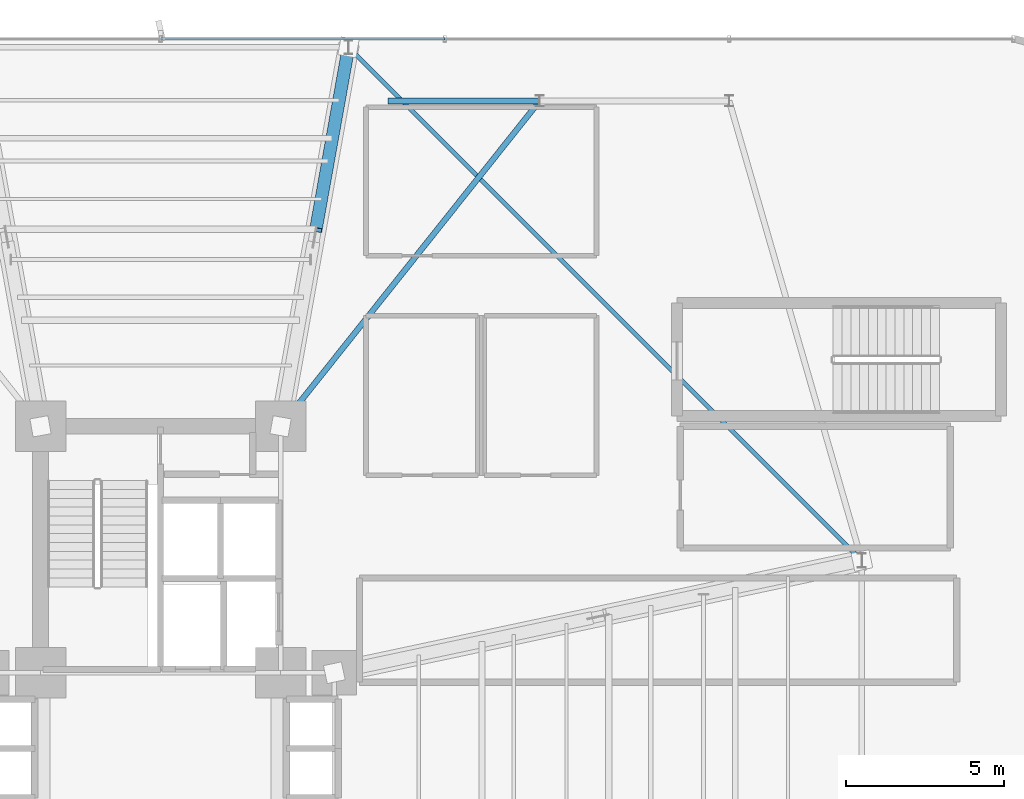
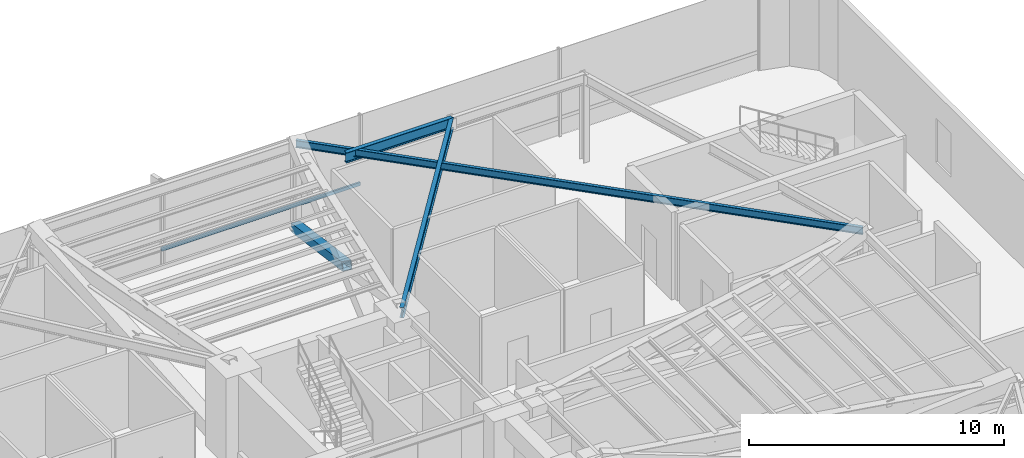
# One storey, part 15 of 32: 3 beams, 2 members, 1 element without a shape of its own.
"""IFC4 building model written with IfcOpenShell, lengths in metres."""

from ifc_helpers import new_model, si_unit, direction, frame, origin, origin_2d, place, context, subcontext, project, spatial, hollow_rectangle, i_section, extrude, source, transform, mapped, material, material_profile, profile_set, type_object, element, aggregate, save


model = new_model("IFC4")

# Units and contexts
model_context = context("Model", 3, precision=1e-05, world=origin(), true_north=direction((0.0, 1.0)))
body_context = subcontext(model_context, "Body", "Model", "MODEL_VIEW")
ifc_project = project(units=[si_unit("LENGTHUNIT", "METRE"), si_unit("AREAUNIT", "SQUARE_METRE"), si_unit("VOLUMEUNIT", "CUBIC_METRE"), si_unit("PLANEANGLEUNIT", "RADIAN"), si_unit("MASSUNIT", "GRAM", prefix="KILO")], contexts=[model_context])

# Site, building, storey
site_placement = place(None, origin())
site = spatial("IfcSite", under=ifc_project, at=site_placement, CompositionType="ELEMENT")
building_placement = place(site_placement, origin())
building = spatial("IfcBuilding", under=site, at=building_placement, Name="Sahyath Konkavel Grand Hotel", CompositionType="ELEMENT")
storey_placement = place(building_placement, frame((0.0, 0.0, 14.10009765625)))
storey = spatial("IfcBuildingStorey", under=building, at=storey_placement, Name="L03", CompositionType="ELEMENT", Elevation=14.10009765625)

# Beams
ifc_material_1 = material(Name="Steel E350", Category="steel")
ifc_material_profile_1 = material_profile(ifc_material_1, i_section(OverallWidth=0.179931640625, OverallDepth=0.5, WebThickness=0.01025390625, FlangeThickness=0.01708984375, FilletRadius=0.01708984375, at=origin_2d()), Name="ISMB 500")
ifc_profile_set_1 = profile_set([ifc_material_profile_1], Name="Steel E350")
beam_type_1 = type_object("IfcBeamType", Name="BM-ISMB500", PredefinedType="BEAM", material=ifc_profile_set_1)
shared_shape_1 = source(origin(), body_context, "Body", "SweptSolid", [
    extrude(i_section(OverallWidth=0.179931640625, OverallDepth=0.5, WebThickness=0.01025390625, FlangeThickness=0.01708984375, FilletRadius=0.01708984375, at=origin_2d()), origin(), (0.0, 0.0, 1.0), 4.800048828125),
])
beam_1_placement = place(storey_placement, frame((7.199951171875, 20.5, 3.929931640625), z_axis=(1.0, 0.0, 0.0), x_axis=(0.0, 1.0, 0.0)))
element("IfcBeam", 1, at=beam_1_placement, inside=storey, type_object=beam_type_1, Name="str:bm:L03:POD34-03", PredefinedType="BEAM", context=body_context, shape_type="MappedRepresentation", body=[
    mapped(shared_shape_1, transform((0.0, 0.0, 0.0), scale=1.0)),
])
shared_shape_2 = source(origin(), body_context, "Body", "SweptSolid", [
    extrude(i_section(OverallWidth=0.179931640625, OverallDepth=0.5, WebThickness=0.01025390625, FlangeThickness=0.01708984375, FilletRadius=0.01708984375, at=origin_2d()), origin(), (0.0, 0.0, 1.0), 13.16552734375),
])
beam_2_placement = place(storey_placement, frame((12.0, 20.5, 3.929931640625), z_axis=(-0.622836622372, -0.782351929653, 0.0), x_axis=(0.782351929653, -0.622836622372, 0.0)))
element("IfcBeam", 2, at=beam_2_placement, inside=storey, type_object=beam_type_1, Name="str:bm:L03:POD34-11", PredefinedType="BEAM", context=body_context, shape_type="MappedRepresentation", body=[
    mapped(shared_shape_2, transform((0.0, 0.0, 0.0), scale=1.0)),
])
ifc_material_profile_2 = material_profile(ifc_material_1, i_section(OverallWidth=0.139892578125, OverallDepth=0.35009765625, WebThickness=0.008056640625, FlangeThickness=0.01416015625, FilletRadius=0.013916015625, at=origin_2d()), Name="ISMB 350")
ifc_profile_set_2 = profile_set([ifc_material_profile_2], Name="Steel E350")
beam_type_2 = type_object("IfcBeamType", Name="BM-ISMB350", PredefinedType="BEAM", material=ifc_profile_set_2)
shared_shape_3 = source(origin(), body_context, "Body", "SweptSolid", [
    extrude(i_section(OverallWidth=0.139892578125, OverallDepth=0.35009765625, WebThickness=0.008056640625, FlangeThickness=0.01416015625, FilletRadius=0.013916015625, at=origin_2d()), origin(), (0.0, 0.0, 1.0), 22.98095703125),
])
beam_3_placement = place(storey_placement, frame((22.199951171875, 5.949951171875, 4.0048828125), z_axis=(-0.707106781187, 0.707106781187, 0.0), x_axis=(-0.707106781187, -0.707106781187, 0.0)))
element("IfcBeam", 3, at=beam_3_placement, inside=storey, type_object=beam_type_2, Name="L03 Re-Entrant Tie Beam NE", PredefinedType="BEAM", context=body_context, shape_type="MappedRepresentation", body=[
    mapped(shared_shape_3, transform((0.0, 0.0, 0.0), scale=1.0)),
])

# Member
ifc_material_2 = material(Name="Steel E450", Category="steel")
ifc_material_profile_3 = material_profile(ifc_material_2, hollow_rectangle(XDim=0.39990234375, YDim=0.39990234375, WallThickness=0.02001953125, at=origin_2d()), Name="SHS 400x400x20")
ifc_profile_set_3 = profile_set([ifc_material_profile_3], Name="Steel E450")
member_type_1 = type_object("IfcMemberType", Name="BR-SHS400", PredefinedType="BRACE", material=ifc_profile_set_3)
shared_shape_4 = source(origin(), body_context, "Body", "SweptSolid", [
    extrude(hollow_rectangle(XDim=0.39990234375, YDim=0.39990234375, WallThickness=0.02001953125, at=origin_2d()), origin(), (0.0, 0.0, 1.0), 6.20068359375),
])
member_1_placement = place(storey_placement, frame((5.949951171875, 22.199951171875, 0.010009765625), z_axis=(-0.16690560693, -0.931584491619, 0.322944040586), x_axis=(0.984326620303, -0.176355052556, 0.0)))
element("IfcMember", 4, at=member_1_placement, inside=storey, type_object=member_type_1, Name="L03 Ballroom Steel Transfer Truss NA Split Lower Diagonal 2A", PredefinedType="BRACE", context=body_context, shape_type="MappedRepresentation", body=[
    mapped(shared_shape_4, transform((0.0, 0.0, 0.0), scale=1.0)),
])

# Curtain wall, member
ifc_material_3 = material(Name="Anodised Bronze Aluminium & Low-E Glazing", Category="aluminium")
curtain_wall_type = type_object("IfcCurtainWallType", Name="CW-PODIUM", PredefinedType="NOTDEFINED", material=ifc_material_3)
curtain_wall_placement = place(storey_placement, origin())
curtain_wall = element("IfcCurtainWall", 5, at=curtain_wall_placement, inside=storey, type_object=curtain_wall_type, Name="L03 Unitised Curtain Wall N", PredefinedType="NOTDEFINED")
ifc_material_4 = material(Name="Anodised Bronze Aluminium", Category="aluminium")
ifc_material_profile_4 = material_profile(ifc_material_4, hollow_rectangle(XDim=0.080078125, YDim=0.159912109375, WallThickness=0.006103515625, at=origin_2d()), Name="RHS 160x80x6")
ifc_profile_set_4 = profile_set([ifc_material_profile_4], Name="Anodised Bronze Aluminium")
member_type_2 = type_object("IfcMemberType", Name="CW-TRN-160", PredefinedType="USERDEFINED", material=ifc_profile_set_4)
shared_shape_5 = source(origin(), body_context, "Body", "SweptSolid", [
    extrude(hollow_rectangle(XDim=0.080078125, YDim=0.159912109375, WallThickness=0.006103515625, at=origin_2d()), origin(), (0.0, 0.0, 1.0), 8.998779296875),
])
member_2_placement = place(storey_placement, frame((8.998779296875, 22.465087890625, 0.849853515625), z_axis=(-1.0, 0.0, 0.0), x_axis=(0.0, -1.0, 0.0)))
member_2 = element("IfcMember", 6, at=member_2_placement, type_object=member_type_2, Name="L03 Curtain Wall Transom N-2-spandrel", ObjectType="TRANSOM", PredefinedType="USERDEFINED", context=body_context, shape_type="MappedRepresentation", body=[
    mapped(shared_shape_5, transform((0.0, 0.0, 0.0), scale=1.0)),
])
aggregate(curtain_wall, [member_2])

save(model, "model.ifc")
